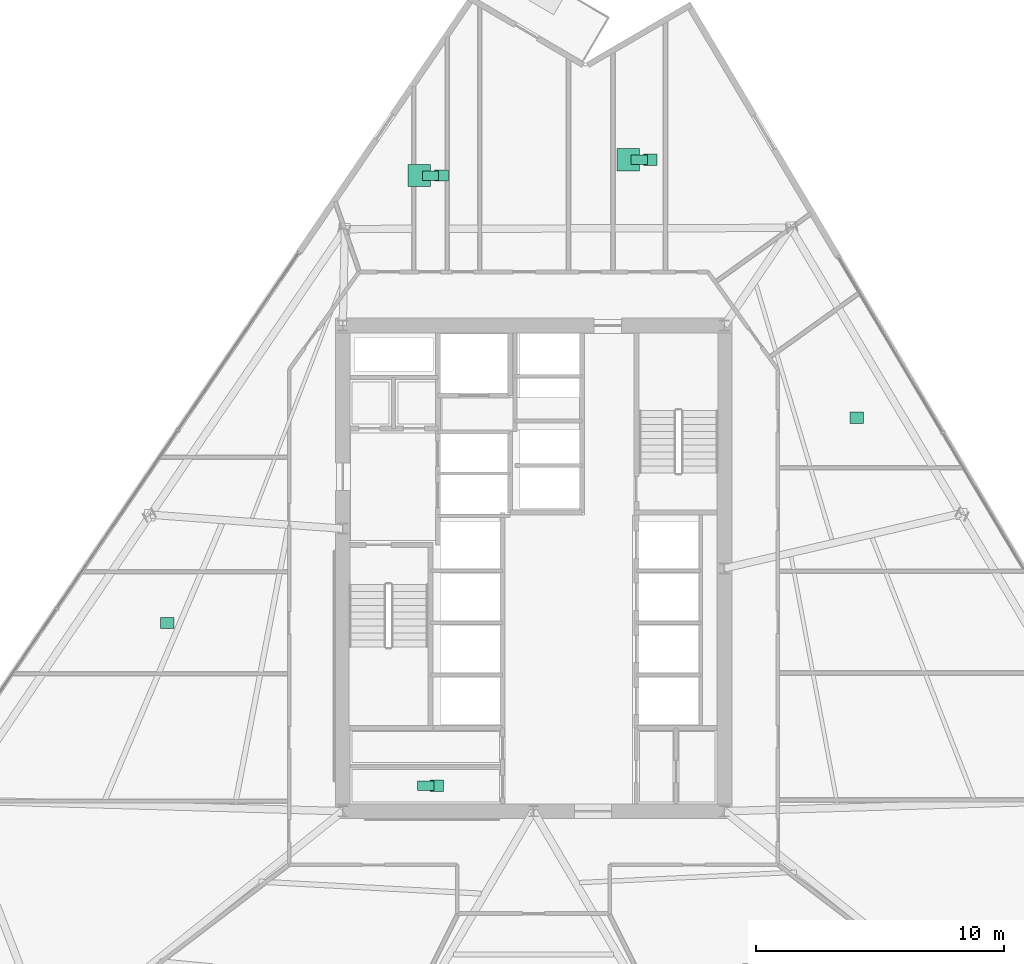
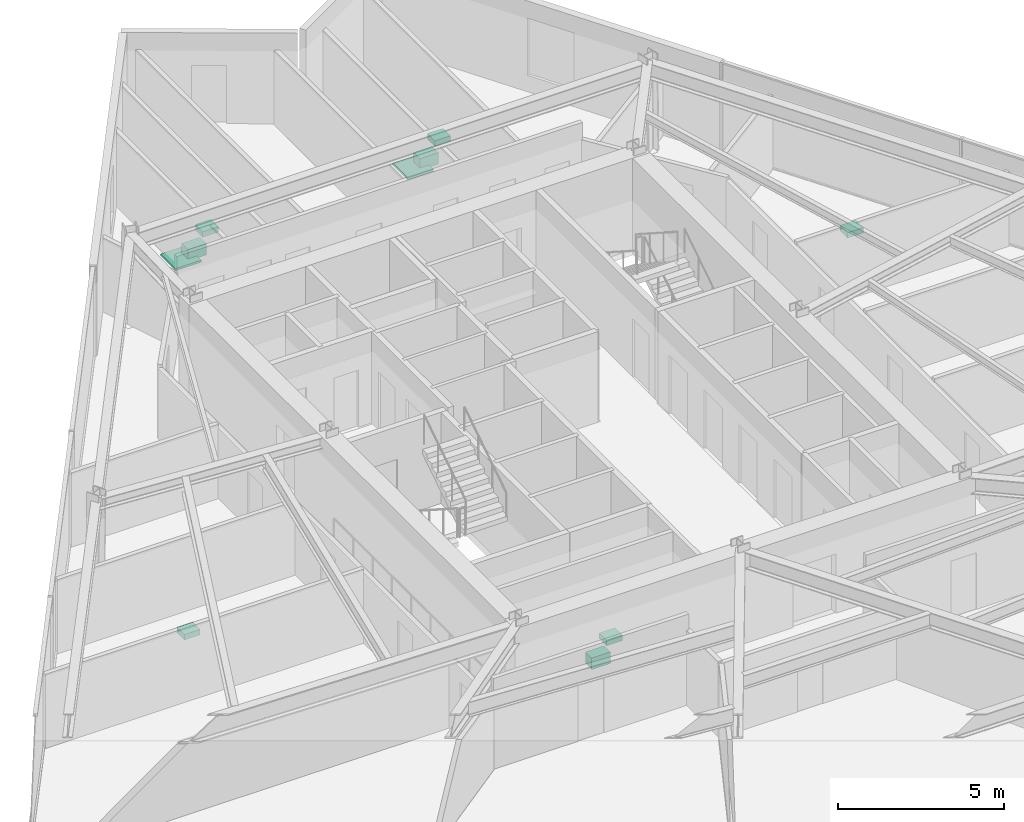
# One storey, part 16 of 16: 10 sanitary terminals.
"""IFC4 building model written with IfcOpenShell, lengths in metres."""

from ifc_helpers import new_model, si_unit, direction, frame, origin, origin_2d, place, context, subcontext, project, spatial, rectangle, extrude, material, type_object, element, save


model = new_model("IFC4")

# Units and contexts
model_context = context("Model", 3, precision=1e-05, world=origin(), true_north=direction((0.0, 1.0)))
body_context = subcontext(model_context, "Body", "Model", "MODEL_VIEW")
ifc_project = project(units=[si_unit("LENGTHUNIT", "METRE"), si_unit("AREAUNIT", "SQUARE_METRE"), si_unit("VOLUMEUNIT", "CUBIC_METRE"), si_unit("PLANEANGLEUNIT", "RADIAN"), si_unit("MASSUNIT", "GRAM", prefix="KILO")], contexts=[model_context])

# Site, building, storey
site_placement = place(None, origin())
site = spatial("IfcSite", under=ifc_project, at=site_placement, CompositionType="ELEMENT")
building_placement = place(site_placement, origin())
building = spatial("IfcBuilding", under=site, at=building_placement, Name="Savorim Split Tower", CompositionType="ELEMENT")
storey_placement = place(building_placement, frame((0.0, 0.0, 66.0)))
storey = spatial("IfcBuildingStorey", under=building, at=storey_placement, Name="L17", CompositionType="ELEMENT", Elevation=66.0)

# Sanitary terminals
ifc_material = material(Name="Vitreous China Sanitaryware")
sanitary_terminal_type_1 = type_object("IfcSanitaryTerminalType", Name="SAN-SHW-900", PredefinedType="SHOWER", material=ifc_material)
for number, where, z_axis, x_axis, name in (
    (1, (3.81689453125, 16.89111328125, 0.0), (0.0, 0.0, 1.0), (1.0, 0.0, 0.0), "L17 Shared Bathroom Shower"),
    (2, (-4.611572265625, 16.251220703125, 0.0), (0.0, 0.0, 1.0), (1.0, 0.0, 0.0), "L17 Shared Bathroom Shower"),
):
    element("IfcSanitaryTerminal", number, at=place(storey_placement, frame(where, z_axis=z_axis, x_axis=x_axis)), inside=storey, type_object=sanitary_terminal_type_1, Name=name, PredefinedType="SHOWER", context=body_context, shape_type="SweptSolid", body=[
        extrude(rectangle(XDim=0.89990234375, YDim=0.89990234375, at=origin_2d()), origin(), (0.0, 0.0, 1.0), 0.080078125),
    ])
sanitary_terminal_type_2 = type_object("IfcSanitaryTerminalType", Name="SAN-WC-PAN", PredefinedType="TOILETPAN", material=ifc_material)
for number, where, z_axis, x_axis, name in (
    (3, (-4.35009765625, -8.3701171875, 0.0), (0.0, 0.0, 1.0), (1.0, 0.0, 0.0), "L17 Public WC WC Pan"),
    (4, (4.26708984375, 16.89111328125, 0.0), (0.0, 0.0, 1.0), (1.0, 0.0, 0.0), "L17 Shared Bathroom WC Pan"),
    (5, (-4.16162109375, 16.251220703125, 0.0), (0.0, 0.0, 1.0), (1.0, 0.0, 0.0), "L17 Shared Bathroom WC Pan"),
):
    element("IfcSanitaryTerminal", number, at=place(storey_placement, frame(where, z_axis=z_axis, x_axis=x_axis)), inside=storey, type_object=sanitary_terminal_type_2, Name=name, PredefinedType="TOILETPAN", context=body_context, shape_type="SweptSolid", body=[
        extrude(rectangle(XDim=0.64990234375, YDim=0.3798828125, at=origin_2d()), origin(), (0.0, 0.0, 1.0), 0.419921875),
    ])
sanitary_terminal_type_3 = type_object("IfcSanitaryTerminalType", Name="SAN-WHB-550", PredefinedType="WASHHANDBASIN", material=ifc_material)
for number, where, z_axis, x_axis, name in (
    (6, (-3.89990234375, -8.3701171875, 0.72021484375), (0.0, 0.0, 1.0), (1.0, 0.0, 0.0), "L17 Public WC Washhand Basin"),
    (7, (-14.774658203125, -1.79931640625, 0.75), (0.0, 0.0, 1.0), (1.0, 0.0, 0.0), "L17 Shared Kitchen Utility Sink"),
    (8, (13.037841796875, 6.477783203125, 0.75), (0.0, 0.0, 1.0), (1.0, 0.0, 0.0), "L17 Community Laundry Room Utility Sink"),
    (9, (4.717041015625, 16.89111328125, 0.72021484375), (0.0, 0.0, 1.0), (1.0, 0.0, 0.0), "L17 Shared Bathroom Washhand Basin"),
    (10, (-3.711669921875, 16.251220703125, 0.72021484375), (0.0, 0.0, 1.0), (1.0, 0.0, 0.0), "L17 Shared Bathroom Washhand Basin"),
):
    element("IfcSanitaryTerminal", number, at=place(storey_placement, frame(where, z_axis=z_axis, x_axis=x_axis)), inside=storey, type_object=sanitary_terminal_type_3, Name=name, PredefinedType="WASHHANDBASIN", context=body_context, shape_type="SweptSolid", body=[
        extrude(rectangle(XDim=0.550048828125, YDim=0.449951171875, at=origin_2d()), origin(), (0.0, 0.0, 1.0), 0.199951171875),
    ])

save(model, "model.ifc")
